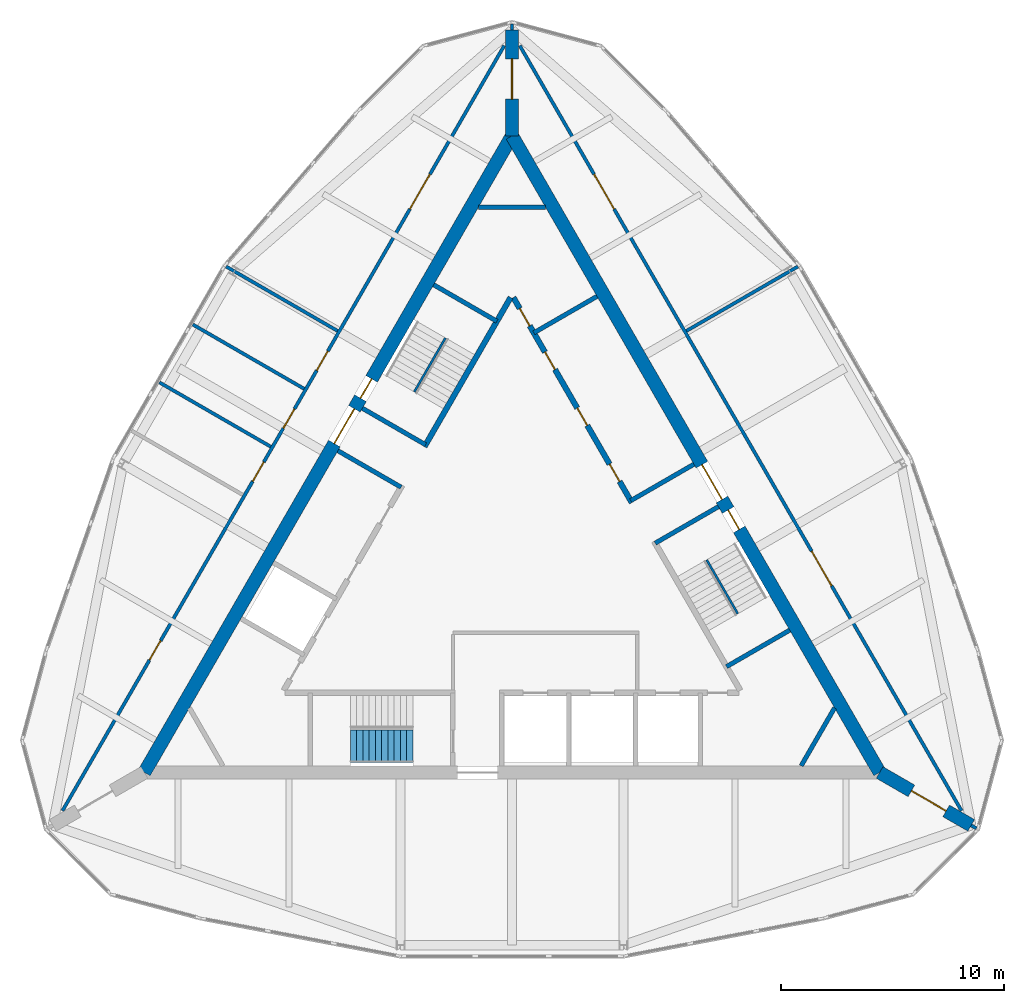
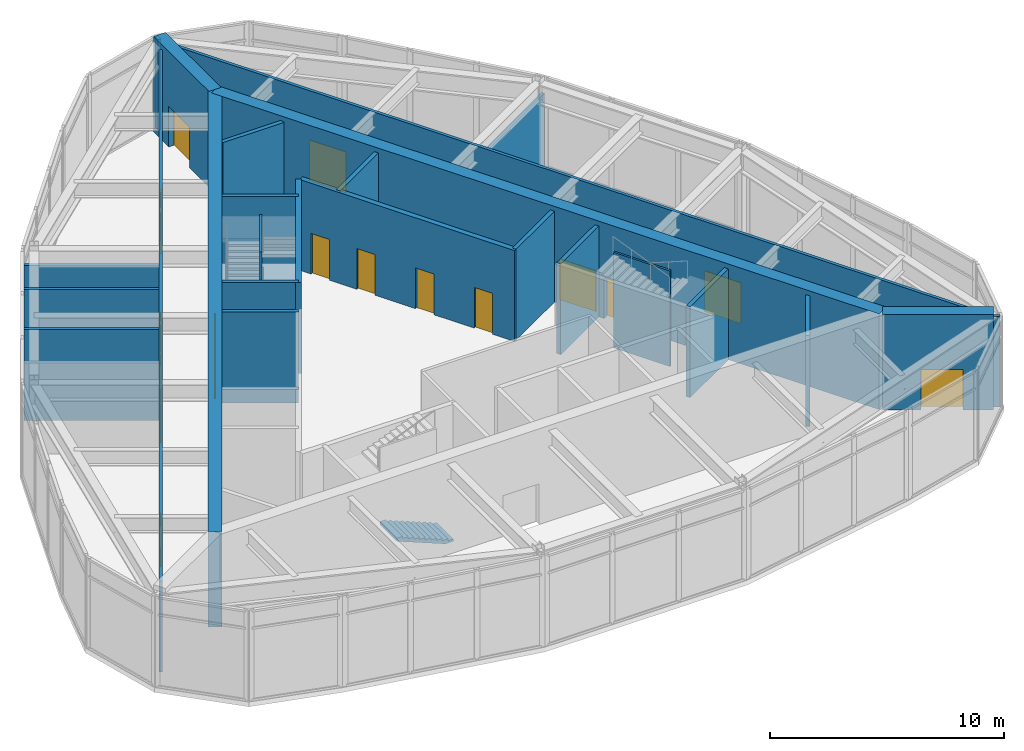
# One storey, part 7 of 9: 25 walls, 17 doors, 1 stair flight, 17 openings, 1 element without a shape of its own.
"""IFC4 building model written with IfcOpenShell, lengths in metres."""

from ifc_helpers import new_model, si_unit, direction, frame, frame_2d, origin, place, context, subcontext, project, spatial, polyline, rectangle, outline, extrude, material, layer, layer_set, type_object, element, fill, aggregate, save


model = new_model("IFC4")

# Units and contexts
model_context = context("Model", 3, precision=1e-05, world=origin(), true_north=direction((0.0, 1.0)))
body_context = subcontext(model_context, "Body", "Model", "MODEL_VIEW")
ifc_project = project(units=[si_unit("LENGTHUNIT", "METRE"), si_unit("AREAUNIT", "SQUARE_METRE"), si_unit("VOLUMEUNIT", "CUBIC_METRE"), si_unit("PLANEANGLEUNIT", "RADIAN"), si_unit("MASSUNIT", "GRAM", prefix="KILO")], contexts=[model_context])

# Site, building, storey
site_placement = place(None, origin())
site = spatial("IfcSite", under=ifc_project, at=site_placement, CompositionType="ELEMENT")
building_placement = place(site_placement, origin())
building = spatial("IfcBuilding", under=site, at=building_placement, Name="Trikona Tower", CompositionType="ELEMENT")
storey_placement = place(building_placement, frame((0.0, 0.0, 292.800048828125)))
storey = spatial("IfcBuildingStorey", under=building, at=storey_placement, Name="L76", CompositionType="ELEMENT", Elevation=292.800048828125)

# Wall, opening, door
ifc_material_1 = material(Name="Concrete f'c 10000 psi", Category="concrete")
ifc_layer_1 = layer(ifc_material_1, 0.60009765625)
ifc_layer_set_1 = layer_set([ifc_layer_1], Name="Buttress wall 600")
wall_type_1 = type_object("IfcWallType", Name="Buttress wall 600", PredefinedType="SHEAR", material=ifc_layer_set_1)
wall_1_placement = place(storey_placement, frame((16.5, -9.5263671875, 0.0), z_axis=(0.0, 0.0, 1.0), x_axis=(0.866031398331, -0.499989616998, 0.0)))
wall_1 = element("IfcWall", 1, at=wall_1_placement, inside=storey, type_object=wall_type_1, Name="Buttress wall 1", PredefinedType="SHEAR", context=body_context, shape_type="SweptSolid", body=[
    extrude(rectangle(XDim=4.74609375, YDim=0.60009765625, at=frame_2d((2.373046875, 0.0))), origin(), (0.0, 0.0, 1.0), 5.0),
])
opening_1_placement = place(wall_1_placement, frame((1.64990234375, 0.0, 0.0)))
opening_1 = element("IfcOpeningElement", 2, at=opening_1_placement, cuts=wall_1, Name="Opening D10", PredefinedType="OPENING", context=body_context, shape_type="SweptSolid", body=[
    extrude(rectangle(XDim=1.800048828125, YDim=2.1298828125, at=frame_2d((0.89990234375, 1.06494140625))), frame((0.0, 0.31005859375, 0.0), z_axis=(0.0, -1.0, 0.0), x_axis=(1.0, 0.0, 0.0)), (0.0, 0.0, 1.0), 0.6201171875),
])
ifc_material_2 = material(Name="Hollow metal door and frame", Category="steel")
door_type_1 = type_object("IfcDoorType", Name="Cross-corridor door pair 1800x2130", OperationType="DOUBLE_DOOR_DOUBLE_SWING", PredefinedType="DOOR", material=ifc_material_2)
door_1_placement = place(opening_1_placement, origin())
door_1 = element("IfcDoor", 3, at=door_1_placement, inside=storey, type_object=door_type_1, Name="Cross-corridor door 1", OperationType="DOUBLE_DOOR_DOUBLE_SWING", OverallHeight=2.1298828125, OverallWidth=1.800048828125, PredefinedType="DOOR", context=body_context, shape_type="SweptSolid", body=[
    extrude(rectangle(XDim=1.800048828125, YDim=2.1298828125, at=frame_2d((0.89990234375, 1.06494140625))), frame((0.0, 0.02490234375, 0.0), z_axis=(0.0, -1.0, 0.0), x_axis=(1.0, 0.0, 0.0)), (0.0, 0.0, 1.0), 0.050048828125),
])
fill(opening_1, door_1)

wall_2_placement = place(storey_placement, frame((0.0, 19.052490234375, 0.0), z_axis=(0.0, 0.0, 1.0), x_axis=(0.0, 1.0, 0.0)))
wall_2 = element("IfcWall", 4, at=wall_2_placement, inside=storey, type_object=wall_type_1, Name="Buttress wall 2", PredefinedType="SHEAR", context=body_context, shape_type="SweptSolid", body=[
    extrude(rectangle(XDim=4.74609375, YDim=0.60009765625, at=frame_2d((2.373046875, 0.0))), origin(), (0.0, 0.0, 1.0), 5.0),
])
opening_2_placement = place(wall_2_placement, frame((1.64990234375, 0.0, 0.0)))
opening_2 = element("IfcOpeningElement", 5, at=opening_2_placement, cuts=wall_2, Name="Opening D10", PredefinedType="OPENING", context=body_context, shape_type="SweptSolid", body=[
    extrude(rectangle(XDim=1.800048828125, YDim=2.1298828125, at=frame_2d((0.89990234375, 1.06494140625))), frame((0.0, 0.31005859375, 0.0), z_axis=(0.0, -1.0, 0.0), x_axis=(1.0, 0.0, 0.0)), (0.0, 0.0, 1.0), 0.6201171875),
])
door_2_placement = place(opening_2_placement, origin())
door_2 = element("IfcDoor", 6, at=door_2_placement, inside=storey, type_object=door_type_1, Name="Cross-corridor door 2", OperationType="DOUBLE_DOOR_DOUBLE_SWING", OverallHeight=2.1298828125, OverallWidth=1.800048828125, PredefinedType="DOOR", context=body_context, shape_type="SweptSolid", body=[
    extrude(rectangle(XDim=1.800048828125, YDim=2.1298828125, at=frame_2d((0.89990234375, 1.06494140625))), frame((0.0, 0.02490234375, 0.0), z_axis=(0.0, -1.0, 0.0), x_axis=(1.0, 0.0, 0.0)), (0.0, 0.0, 1.0), 0.050048828125),
])
fill(opening_2, door_2)

# Wall, openings, doors
ifc_material_3 = material(Name="Concrete f'c 10000 psi", Category="concrete")
ifc_layer_2 = layer(ifc_material_3, 0.60009765625)
ifc_layer_set_2 = layer_set([ifc_layer_2], Name="Core wall 600")
wall_type_2 = type_object("IfcWallType", Name="Core wall 600", PredefinedType="SHEAR", material=ifc_layer_set_2)
wall_3_placement = place(storey_placement, frame((16.5, -9.5263671875, 0.0), z_axis=(0.0, 0.0, 1.0), x_axis=(-0.499999749417, 0.866025548458, 0.0)))
wall_3 = element("IfcWall", 7, at=wall_3_placement, inside=storey, type_object=wall_type_2, Name="Core wall B", PredefinedType="SHEAR", context=body_context, shape_type="SweptSolid", body=[
    extrude(rectangle(XDim=33.0, YDim=0.60009765625, at=frame_2d((16.5, 0.0))), origin(), (0.0, 0.0, 1.0), 5.0),
])
opening_3_placement = place(wall_3_placement, frame((14.14990234375, 0.0, 0.0)))
opening_3 = element("IfcOpeningElement", 8, at=opening_3_placement, cuts=wall_3, Name="Opening D6", PredefinedType="OPENING", context=body_context, shape_type="SweptSolid", body=[
    extrude(rectangle(XDim=1.800048828125, YDim=2.1298828125, at=frame_2d((0.89990234375, 1.06494140625))), frame((0.0, 0.31005859375, 0.0), z_axis=(0.0, -1.0, 0.0), x_axis=(1.0, 0.0, 0.0)), (0.0, 0.0, 1.0), 0.6201171875),
])
opening_4_placement = place(wall_3_placement, frame((12.60009765625, 0.0, 0.0)))
opening_4 = element("IfcOpeningElement", 9, at=opening_4_placement, cuts=wall_3, Name="Opening D5", PredefinedType="OPENING", context=body_context, shape_type="SweptSolid", body=[
    extrude(rectangle(XDim=1.0, YDim=2.1298828125, at=frame_2d((0.5, 1.06494140625))), frame((0.0, 0.31005859375, 0.0), z_axis=(0.0, -1.0, 0.0), x_axis=(1.0, 0.0, 0.0)), (0.0, 0.0, 1.0), 0.6201171875),
])
ifc_material_4 = material(Name="Hollow metal door and frame", Category="steel")
door_type_2 = type_object("IfcDoorType", Name="Lobby door pair 1800x2130", OperationType="DOUBLE_DOOR_SINGLE_SWING", PredefinedType="DOOR", material=ifc_material_4)
door_3_placement = place(opening_3_placement, origin())
door_3 = element("IfcDoor", 10, at=door_3_placement, inside=storey, type_object=door_type_2, Name="Lift lobby door B", OperationType="DOUBLE_DOOR_SINGLE_SWING", OverallHeight=2.1298828125, OverallWidth=1.800048828125, PredefinedType="DOOR", context=body_context, shape_type="SweptSolid", body=[
    extrude(rectangle(XDim=1.800048828125, YDim=2.1298828125, at=frame_2d((0.89990234375, 1.06494140625))), frame((0.0, 0.02490234375, 0.0), z_axis=(0.0, -1.0, 0.0), x_axis=(1.0, 0.0, 0.0)), (0.0, 0.0, 1.0), 0.050048828125),
])
fill(opening_3, door_3)
ifc_material_5 = material(Name="Hollow metal door and frame", Category="steel")
door_type_3 = type_object("IfcDoorType", Name="Stair door 1000x2130", OperationType="SINGLE_SWING_LEFT", PredefinedType="DOOR", material=ifc_material_5)
door_4_placement = place(opening_4_placement, origin())
door_4 = element("IfcDoor", 11, at=door_4_placement, inside=storey, type_object=door_type_3, Name="Stair B door", OperationType="SINGLE_SWING_RIGHT", OverallHeight=2.1298828125, OverallWidth=1.0, PredefinedType="DOOR", context=body_context, shape_type="SweptSolid", body=[
    extrude(rectangle(XDim=1.0, YDim=2.1298828125, at=frame_2d((0.5, 1.06494140625))), frame((0.0, 0.02490234375, 0.0), z_axis=(0.0, -1.0, 0.0), x_axis=(1.0, 0.0, 0.0)), (0.0, 0.0, 1.0), 0.050048828125),
])
fill(opening_4, door_4)

wall_4_placement = place(storey_placement, frame((0.0, 19.052490234375, 0.0), z_axis=(0.0, 0.0, 1.0), x_axis=(-0.499999749417, -0.866025548458, 0.0)))
wall_4 = element("IfcWall", 12, at=wall_4_placement, inside=storey, type_object=wall_type_2, Name="Core wall C", PredefinedType="SHEAR", context=body_context, shape_type="SweptSolid", body=[
    extrude(rectangle(XDim=33.0, YDim=0.60009765625, at=frame_2d((16.5, 0.0))), origin(), (0.0, 0.0, 1.0), 5.0),
])
opening_5_placement = place(wall_4_placement, frame((14.14990234375, 0.0, 0.0)))
opening_5 = element("IfcOpeningElement", 13, at=opening_5_placement, cuts=wall_4, Name="Opening D6", PredefinedType="OPENING", context=body_context, shape_type="SweptSolid", body=[
    extrude(rectangle(XDim=1.800048828125, YDim=2.1298828125, at=frame_2d((0.89990234375, 1.06494140625))), frame((0.0, 0.31005859375, 0.0), z_axis=(0.0, -1.0, 0.0), x_axis=(1.0, 0.0, 0.0)), (0.0, 0.0, 1.0), 0.6201171875),
])
opening_6_placement = place(wall_4_placement, frame((12.60009765625, 0.0, 0.0)))
opening_6 = element("IfcOpeningElement", 14, at=opening_6_placement, cuts=wall_4, Name="Opening D5", PredefinedType="OPENING", context=body_context, shape_type="SweptSolid", body=[
    extrude(rectangle(XDim=1.0, YDim=2.1298828125, at=frame_2d((0.5, 1.06494140625))), frame((0.0, 0.31005859375, 0.0), z_axis=(0.0, -1.0, 0.0), x_axis=(1.0, 0.0, 0.0)), (0.0, 0.0, 1.0), 0.6201171875),
])
door_5_placement = place(opening_5_placement, origin())
door_5 = element("IfcDoor", 15, at=door_5_placement, inside=storey, type_object=door_type_2, Name="Lift lobby door C", OperationType="DOUBLE_DOOR_SINGLE_SWING", OverallHeight=2.1298828125, OverallWidth=1.800048828125, PredefinedType="DOOR", context=body_context, shape_type="SweptSolid", body=[
    extrude(rectangle(XDim=1.800048828125, YDim=2.1298828125, at=frame_2d((0.89990234375, 1.06494140625))), frame((0.0, 0.02490234375, 0.0), z_axis=(0.0, -1.0, 0.0), x_axis=(1.0, 0.0, 0.0)), (0.0, 0.0, 1.0), 0.050048828125),
])
fill(opening_5, door_5)
door_6_placement = place(opening_6_placement, origin())
door_6 = element("IfcDoor", 16, at=door_6_placement, inside=storey, type_object=door_type_3, Name="Stair C door", OperationType="SINGLE_SWING_RIGHT", OverallHeight=2.1298828125, OverallWidth=1.0, PredefinedType="DOOR", context=body_context, shape_type="SweptSolid", body=[
    extrude(rectangle(XDim=1.0, YDim=2.1298828125, at=frame_2d((0.5, 1.06494140625))), frame((0.0, 0.02490234375, 0.0), z_axis=(0.0, -1.0, 0.0), x_axis=(1.0, 0.0, 0.0)), (0.0, 0.0, 1.0), 0.050048828125),
])
fill(opening_6, door_6)

ifc_material_6 = material(Name="Metal stud and gypsum board, 1-hour", Category="gypsum")
ifc_layer_3 = layer(ifc_material_6, 0.14990234375)
ifc_layer_set_3 = layer_set([ifc_layer_3], Name="Corridor wall 150")
wall_type_3 = type_object("IfcWallType", Name="Corridor wall 150", PredefinedType="PARTITIONING", material=ifc_layer_set_3)
wall_5_placement = place(storey_placement, frame((20.177001953125, -11.2451171875, 0.0), z_axis=(0.0, 0.0, 1.0), x_axis=(-0.499998875317, 0.866026053119, 0.0)))
wall_5 = element("IfcWall", 17, at=wall_5_placement, inside=storey, type_object=wall_type_3, Name="Corridor wall L76-2", PredefinedType="PARTITIONING", context=body_context, shape_type="SweptSolid", body=[
    extrude(rectangle(XDim=39.65380859375, YDim=0.14990234375, at=frame_2d((19.826904296875, 0.0))), origin(), (0.0, 0.0, 1.0), 4.75),
])
opening_7_placement = place(wall_5_placement, frame((11.66357421875, 0.0, 0.0)))
opening_7 = element("IfcOpeningElement", 18, at=opening_7_placement, cuts=wall_5, Name="Opening D4", PredefinedType="OPENING", context=body_context, shape_type="SweptSolid", body=[
    extrude(rectangle(XDim=1.800048828125, YDim=2.1298828125, at=frame_2d((0.89990234375, 1.06494140625))), frame((0.0, 0.0849609375, 0.0), z_axis=(0.0, -1.0, 0.0), x_axis=(1.0, 0.0, 0.0)), (0.0, 0.0, 1.0), 0.169921875),
])
opening_8_placement = place(wall_5_placement, frame((31.1904296875, 0.0, 0.0)))
opening_8 = element("IfcOpeningElement", 19, at=opening_8_placement, cuts=wall_5, Name="Opening D4", PredefinedType="OPENING", context=body_context, shape_type="SweptSolid", body=[
    extrude(rectangle(XDim=1.800048828125, YDim=2.1298828125, at=frame_2d((0.89990234375, 1.06494140625))), frame((0.0, 0.0849609375, 0.0), z_axis=(0.0, -1.0, 0.0), x_axis=(1.0, 0.0, 0.0)), (0.0, 0.0, 1.0), 0.169921875),
])
ifc_material_7 = material(Name="Steel door frame with solid-core timber leaf", Category="steel")
door_type_4 = type_object("IfcDoorType", Name="Assembly door pair 1800x2130", OperationType="DOUBLE_DOOR_SINGLE_SWING", PredefinedType="DOOR", material=ifc_material_7)
door_7_placement = place(opening_7_placement, origin())
door_7 = element("IfcDoor", 20, at=door_7_placement, inside=storey, type_object=door_type_4, Name="Door Observation upper deck north-east", OperationType="DOUBLE_DOOR_SINGLE_SWING", OverallHeight=2.1298828125, OverallWidth=1.800048828125, PredefinedType="DOOR", context=body_context, shape_type="SweptSolid", body=[
    extrude(rectangle(XDim=1.800048828125, YDim=2.1298828125, at=frame_2d((0.89990234375, 1.06494140625))), frame((0.0, 0.02490234375, 0.0), z_axis=(0.0, -1.0, 0.0), x_axis=(1.0, 0.0, 0.0)), (0.0, 0.0, 1.0), 0.050048828125),
])
fill(opening_7, door_7)
door_8_placement = place(opening_8_placement, origin())
door_8 = element("IfcDoor", 21, at=door_8_placement, inside=storey, type_object=door_type_4, Name="Door Exhibition room", OperationType="DOUBLE_DOOR_SINGLE_SWING", OverallHeight=2.1298828125, OverallWidth=1.800048828125, PredefinedType="DOOR", context=body_context, shape_type="SweptSolid", body=[
    extrude(rectangle(XDim=1.800048828125, YDim=2.1298828125, at=frame_2d((0.89990234375, 1.06494140625))), frame((0.0, 0.02490234375, 0.0), z_axis=(0.0, -1.0, 0.0), x_axis=(1.0, 0.0, 0.0)), (0.0, 0.0, 1.0), 0.050048828125),
])
fill(opening_8, door_8)

wall_6_placement = place(storey_placement, frame((-0.35009765625, 23.09619140625, 0.0), z_axis=(0.0, 0.0, 1.0), x_axis=(-0.499998875317, -0.866026053119, 0.0)))
wall_6 = element("IfcWall", 22, at=wall_6_placement, inside=storey, type_object=wall_type_3, Name="Corridor wall L76-3", PredefinedType="PARTITIONING", context=body_context, shape_type="SweptSolid", body=[
    extrude(rectangle(XDim=39.65380859375, YDim=0.14990234375, at=frame_2d((19.826904296875, 0.0))), origin(), (0.0, 0.0, 1.0), 4.75),
])
opening_9_placement = place(wall_6_placement, frame((6.66357421875, 0.0, 0.0)))
opening_9 = element("IfcOpeningElement", 23, at=opening_9_placement, cuts=wall_6, Name="Opening D4", PredefinedType="OPENING", context=body_context, shape_type="SweptSolid", body=[
    extrude(rectangle(XDim=1.800048828125, YDim=2.1298828125, at=frame_2d((0.89990234375, 1.06494140625))), frame((0.0, 0.0849609375, 0.0), z_axis=(0.0, -1.0, 0.0), x_axis=(1.0, 0.0, 0.0)), (0.0, 0.0, 1.0), 0.169921875),
])
opening_10_placement = place(wall_6_placement, frame((15.826904296875, 0.0, 0.0)))
opening_10 = element("IfcOpeningElement", 24, at=opening_10_placement, cuts=wall_6, Name="Opening D3", PredefinedType="OPENING", context=body_context, shape_type="SweptSolid", body=[
    extrude(rectangle(XDim=1.0, YDim=2.1298828125, at=frame_2d((0.5, 1.06494140625))), frame((0.0, 0.0849609375, 0.0), z_axis=(0.0, -1.0, 0.0), x_axis=(1.0, 0.0, 0.0)), (0.0, 0.0, 1.0), 0.169921875),
])
opening_11_placement = place(wall_6_placement, frame((18.826904296875, 0.0, 0.0)))
opening_11 = element("IfcOpeningElement", 25, at=opening_11_placement, cuts=wall_6, Name="Opening D3", PredefinedType="OPENING", context=body_context, shape_type="SweptSolid", body=[
    extrude(rectangle(XDim=1.0, YDim=2.1298828125, at=frame_2d((0.5, 1.06494140625))), frame((0.0, 0.0849609375, 0.0), z_axis=(0.0, -1.0, 0.0), x_axis=(1.0, 0.0, 0.0)), (0.0, 0.0, 1.0), 0.169921875),
])
opening_12_placement = place(wall_6_placement, frame((21.576904296875, 0.0, 0.0)))
opening_12 = element("IfcOpeningElement", 26, at=opening_12_placement, cuts=wall_6, Name="Opening D3", PredefinedType="OPENING", context=body_context, shape_type="SweptSolid", body=[
    extrude(rectangle(XDim=1.0, YDim=2.1298828125, at=frame_2d((0.5, 1.06494140625))), frame((0.0, 0.0849609375, 0.0), z_axis=(0.0, -1.0, 0.0), x_axis=(1.0, 0.0, 0.0)), (0.0, 0.0, 1.0), 0.169921875),
])
opening_13_placement = place(wall_6_placement, frame((30.840576171875, 0.0, 0.0)))
opening_13 = element("IfcOpeningElement", 27, at=opening_13_placement, cuts=wall_6, Name="Opening D3", PredefinedType="OPENING", context=body_context, shape_type="SweptSolid", body=[
    extrude(rectangle(XDim=1.0, YDim=2.1298828125, at=frame_2d((0.5, 1.06494140625))), frame((0.0, 0.0849609375, 0.0), z_axis=(0.0, -1.0, 0.0), x_axis=(1.0, 0.0, 0.0)), (0.0, 0.0, 1.0), 0.169921875),
])
door_9_placement = place(opening_9_placement, origin())
door_9 = element("IfcDoor", 28, at=door_9_placement, inside=storey, type_object=door_type_4, Name="Door Observation bar", OperationType="DOUBLE_DOOR_SINGLE_SWING", OverallHeight=2.1298828125, OverallWidth=1.800048828125, PredefinedType="DOOR", context=body_context, shape_type="SweptSolid", body=[
    extrude(rectangle(XDim=1.800048828125, YDim=2.1298828125, at=frame_2d((0.89990234375, 1.06494140625))), frame((0.0, 0.02490234375, 0.0), z_axis=(0.0, -1.0, 0.0), x_axis=(1.0, 0.0, 0.0)), (0.0, 0.0, 1.0), 0.050048828125),
])
fill(opening_9, door_9)
ifc_material_8 = material(Name="Steel door frame with solid-core timber leaf", Category="steel")
door_type_5 = type_object("IfcDoorType", Name="Room door 1000x2130", OperationType="SINGLE_SWING_LEFT", PredefinedType="DOOR", material=ifc_material_8)
door_10_placement = place(opening_10_placement, origin())
door_10 = element("IfcDoor", 29, at=door_10_placement, inside=storey, type_object=door_type_5, Name="Door Men's toilets", OperationType="SINGLE_SWING_LEFT", OverallHeight=2.1298828125, OverallWidth=1.0, PredefinedType="DOOR", context=body_context, shape_type="SweptSolid", body=[
    extrude(rectangle(XDim=1.0, YDim=2.1298828125, at=frame_2d((0.5, 1.06494140625))), frame((0.0, 0.02490234375, 0.0), z_axis=(0.0, -1.0, 0.0), x_axis=(1.0, 0.0, 0.0)), (0.0, 0.0, 1.0), 0.050048828125),
])
fill(opening_10, door_10)
door_11_placement = place(opening_11_placement, origin())
door_11 = element("IfcDoor", 30, at=door_11_placement, inside=storey, type_object=door_type_5, Name="Door Women's toilets", OperationType="SINGLE_SWING_RIGHT", OverallHeight=2.1298828125, OverallWidth=1.0, PredefinedType="DOOR", context=body_context, shape_type="SweptSolid", body=[
    extrude(rectangle(XDim=1.0, YDim=2.1298828125, at=frame_2d((0.5, 1.06494140625))), frame((0.0, 0.02490234375, 0.0), z_axis=(0.0, -1.0, 0.0), x_axis=(1.0, 0.0, 0.0)), (0.0, 0.0, 1.0), 0.050048828125),
])
fill(opening_11, door_11)
door_12_placement = place(opening_12_placement, origin())
door_12 = element("IfcDoor", 31, at=door_12_placement, inside=storey, type_object=door_type_5, Name="Door Accessible WC", OperationType="SINGLE_SWING_LEFT", OverallHeight=2.1298828125, OverallWidth=1.0, PredefinedType="DOOR", context=body_context, shape_type="SweptSolid", body=[
    extrude(rectangle(XDim=1.0, YDim=2.1298828125, at=frame_2d((0.5, 1.06494140625))), frame((0.0, 0.02490234375, 0.0), z_axis=(0.0, -1.0, 0.0), x_axis=(1.0, 0.0, 0.0)), (0.0, 0.0, 1.0), 0.050048828125),
])
fill(opening_12, door_12)
door_13_placement = place(opening_13_placement, origin())
door_13 = element("IfcDoor", 32, at=door_13_placement, inside=storey, type_object=door_type_5, Name="Door Event room", OperationType="SINGLE_SWING_RIGHT", OverallHeight=2.1298828125, OverallWidth=1.0, PredefinedType="DOOR", context=body_context, shape_type="SweptSolid", body=[
    extrude(rectangle(XDim=1.0, YDim=2.1298828125, at=frame_2d((0.5, 1.06494140625))), frame((0.0, 0.02490234375, 0.0), z_axis=(0.0, -1.0, 0.0), x_axis=(1.0, 0.0, 0.0)), (0.0, 0.0, 1.0), 0.050048828125),
])
fill(opening_13, door_13)

ifc_material_9 = material(Name="Concrete f'c 8000 psi", Category="concrete")
ifc_layer_4 = layer(ifc_material_9, 0.25)
ifc_layer_set_4 = layer_set([ifc_layer_4], Name="Hub wall 250")
wall_type_4 = type_object("IfcWallType", Name="Hub wall 250", PredefinedType="SOLIDWALL", material=ifc_layer_set_4)
wall_7_placement = place(storey_placement, frame((5.37890625, 2.5859375, 0.0), z_axis=(0.0, 0.0, 1.0), x_axis=(-0.500001375892, 0.866024609411, 0.0)))
wall_7 = element("IfcWall", 33, at=wall_7_placement, inside=storey, type_object=wall_type_4, Name="Lift lobby wall B2", PredefinedType="SOLIDWALL", context=body_context, shape_type="SweptSolid", body=[
    extrude(rectangle(XDim=10.6328125, YDim=0.25, at=frame_2d((5.31640625, 0.0))), origin(), (0.0, 0.0, 1.0), 4.75),
])
opening_14_placement = place(wall_7_placement, frame((9.1640625, 0.0, 0.0)))
opening_14 = element("IfcOpeningElement", 34, at=opening_14_placement, cuts=wall_7, Name="Opening D14", PredefinedType="OPENING", context=body_context, shape_type="SweptSolid", body=[
    extrude(rectangle(XDim=0.89990234375, YDim=2.1298828125, at=frame_2d((0.449951171875, 1.06494140625))), frame((0.0, 0.135009765625, 0.0), z_axis=(0.0, -1.0, 0.0), x_axis=(1.0, 0.0, 0.0)), (0.0, 0.0, 1.0), 0.27001953125),
])
opening_15_placement = place(wall_7_placement, frame((1.10009765625, 0.0, 0.0)))
opening_15 = element("IfcOpeningElement", 35, at=opening_15_placement, cuts=wall_7, Name="Opening D14", PredefinedType="OPENING", context=body_context, shape_type="SweptSolid", body=[
    extrude(rectangle(XDim=0.89990234375, YDim=2.1298828125, at=frame_2d((0.449951171875, 1.06494140625))), frame((0.0, 0.135009765625, 0.0), z_axis=(0.0, -1.0, 0.0), x_axis=(1.0, 0.0, 0.0)), (0.0, 0.0, 1.0), 0.27001953125),
])
opening_16_placement = place(wall_7_placement, frame((4.0, 0.0, 0.0)))
opening_16 = element("IfcOpeningElement", 36, at=opening_16_placement, cuts=wall_7, Name="Opening D14", PredefinedType="OPENING", context=body_context, shape_type="SweptSolid", body=[
    extrude(rectangle(XDim=0.89990234375, YDim=2.1298828125, at=frame_2d((0.449951171875, 1.06494140625))), frame((0.0, 0.135009765625, 0.0), z_axis=(0.0, -1.0, 0.0), x_axis=(1.0, 0.0, 0.0)), (0.0, 0.0, 1.0), 0.27001953125),
])
opening_17_placement = place(wall_7_placement, frame((6.89990234375, 0.0, 0.0)))
opening_17 = element("IfcOpeningElement", 37, at=opening_17_placement, cuts=wall_7, Name="Opening D14", PredefinedType="OPENING", context=body_context, shape_type="SweptSolid", body=[
    extrude(rectangle(XDim=0.89990234375, YDim=2.1298828125, at=frame_2d((0.449951171875, 1.06494140625))), frame((0.0, 0.135009765625, 0.0), z_axis=(0.0, -1.0, 0.0), x_axis=(1.0, 0.0, 0.0)), (0.0, 0.0, 1.0), 0.27001953125),
])
ifc_material_10 = material(Name="Hollow metal door and frame", Category="steel")
door_type_6 = type_object("IfcDoorType", Name="Service room door 900x2130", OperationType="SINGLE_SWING_LEFT", PredefinedType="DOOR", material=ifc_material_10)
door_14_placement = place(opening_14_placement, origin())
door_14 = element("IfcDoor", 38, at=door_14_placement, inside=storey, type_object=door_type_6, Name="Door Store STR", OperationType="SINGLE_SWING_RIGHT", OverallHeight=2.1298828125, OverallWidth=0.89990234375, PredefinedType="DOOR", context=body_context, shape_type="SweptSolid", body=[
    extrude(rectangle(XDim=0.89990234375, YDim=2.1298828125, at=frame_2d((0.449951171875, 1.06494140625))), frame((0.0, 0.02490234375, 0.0), z_axis=(0.0, -1.0, 0.0), x_axis=(1.0, 0.0, 0.0)), (0.0, 0.0, 1.0), 0.050048828125),
])
fill(opening_14, door_14)
door_15_placement = place(opening_15_placement, origin())
door_15 = element("IfcDoor", 39, at=door_15_placement, inside=storey, type_object=door_type_6, Name="Door Storage STO1", OperationType="SINGLE_SWING_LEFT", OverallHeight=2.1298828125, OverallWidth=0.89990234375, PredefinedType="DOOR", context=body_context, shape_type="SweptSolid", body=[
    extrude(rectangle(XDim=0.89990234375, YDim=2.1298828125, at=frame_2d((0.449951171875, 1.06494140625))), frame((0.0, 0.02490234375, 0.0), z_axis=(0.0, -1.0, 0.0), x_axis=(1.0, 0.0, 0.0)), (0.0, 0.0, 1.0), 0.050048828125),
])
fill(opening_15, door_15)
door_16_placement = place(opening_16_placement, origin())
door_16 = element("IfcDoor", 40, at=door_16_placement, inside=storey, type_object=door_type_6, Name="Door Storage STO1", OperationType="SINGLE_SWING_RIGHT", OverallHeight=2.1298828125, OverallWidth=0.89990234375, PredefinedType="DOOR", context=body_context, shape_type="SweptSolid", body=[
    extrude(rectangle(XDim=0.89990234375, YDim=2.1298828125, at=frame_2d((0.449951171875, 1.06494140625))), frame((0.0, 0.02490234375, 0.0), z_axis=(0.0, -1.0, 0.0), x_axis=(1.0, 0.0, 0.0)), (0.0, 0.0, 1.0), 0.050048828125),
])
fill(opening_16, door_16)
door_17_placement = place(opening_17_placement, origin())
door_17 = element("IfcDoor", 41, at=door_17_placement, inside=storey, type_object=door_type_6, Name="Door Storage STO1", OperationType="SINGLE_SWING_RIGHT", OverallHeight=2.1298828125, OverallWidth=0.89990234375, PredefinedType="DOOR", context=body_context, shape_type="SweptSolid", body=[
    extrude(rectangle(XDim=0.89990234375, YDim=2.1298828125, at=frame_2d((0.449951171875, 1.06494140625))), frame((0.0, 0.02490234375, 0.0), z_axis=(0.0, -1.0, 0.0), x_axis=(1.0, 0.0, 0.0)), (0.0, 0.0, 1.0), 0.050048828125),
])
fill(opening_17, door_17)

# Walls
wall_8_placement = place(storey_placement, frame((-0.0625, 11.794189453125, 0.0), z_axis=(0.0, 0.0, 1.0), x_axis=(-0.500006680225, -0.86602154692, 0.0)))
element("IfcWall", 42, at=wall_8_placement, inside=storey, type_object=wall_type_4, Name="Lift lobby wall C1", PredefinedType="SOLIDWALL", context=body_context, shape_type="SweptSolid", body=[
    extrude(rectangle(XDim=7.73291015625, YDim=0.25, at=frame_2d((3.866455078125, 0.0))), origin(), (0.0, 0.0, 1.0), 4.75),
])
ifc_material_11 = material(Name="Metal stud and gypsum board, 1-hour acoustic", Category="gypsum")
ifc_layer_5 = layer(ifc_material_11, 0.14990234375)
ifc_layer_set_5 = layer_set([ifc_layer_5], Name="Party wall 150")
wall_type_5 = type_object("IfcWallType", Name="Party wall 150", PredefinedType="PARTITIONING", material=ifc_layer_set_5)
for number, where, z_axis, x_axis, name in (
    (43, (7.82861328125, 10.293212890625, 0.0), (0.0, 0.0, 1.0), (0.866003332883, 0.500038225974, 0.0), "Partition L76 F2 u5"),
    (44, (-7.82861328125, 10.293212890625, 0.0), (0.0, 0.0, 1.0), (-0.866003332883, 0.500038225974, 0.0), "Partition L76 F3 u-5"),
):
    element("IfcWall", number, at=place(storey_placement, frame(where, z_axis=z_axis, x_axis=x_axis)), inside=storey, type_object=wall_type_5, Name=name, PredefinedType="PARTITIONING", context=body_context, shape_type="SweptSolid", body=[
        extrude(rectangle(XDim=5.77783203125, YDim=0.14990234375, at=frame_2d((2.888916015625, 0.0))), origin(), (0.0, 0.0, 1.0), 3.89404296875),
    ])
for number, where, z_axis, x_axis, name in (
    (45, (-9.32861328125, 7.6953125, 0.0), (0.0, 0.0, 1.0), (-0.866034075723, 0.499984979461, 0.0), "Partition L76 F3 u-2"),
    (46, (-10.82861328125, 5.09716796875, 0.0), (0.0, 0.0, 1.0), (-0.866015751745, 0.50001671745, 0.0), "Partition L76 F3 u1"),
):
    element("IfcWall", number, at=place(storey_placement, frame(where, z_axis=z_axis, x_axis=x_axis)), inside=storey, type_object=wall_type_5, Name=name, PredefinedType="PARTITIONING", context=body_context, shape_type="SweptSolid", body=[
        extrude(rectangle(XDim=5.769287109375, YDim=0.14990234375, at=frame_2d((2.884765625, 0.0))), origin(), (0.0, 0.0, 1.0), 4.75),
    ])
wall_9_placement = place(storey_placement, frame((20.6103515625, -11.8994140625, 0.0), z_axis=(0.0, 0.0, 1.0), x_axis=(0.866065156741, -0.499931139538, 0.0)))
element("IfcWall", 47, at=wall_9_placement, inside=storey, type_object=wall_type_5, Name="Partition L76 Buttress wall 1 closure", PredefinedType="PARTITIONING", context=body_context, shape_type="SweptSolid", body=[
    extrude(rectangle(XDim=0.27001953125, YDim=0.14990234375, at=frame_2d((0.135009765625, 0.0))), origin(), (0.0, 0.0, 1.0), 4.75),
])
wall_10_placement = place(storey_placement, frame((0.0, 23.798583984375, 0.0), z_axis=(0.0, 0.0, 1.0), x_axis=(0.0, 1.0, 0.0)))
element("IfcWall", 48, at=wall_10_placement, inside=storey, type_object=wall_type_5, Name="Partition L76 Buttress wall 2 closure", PredefinedType="PARTITIONING", context=body_context, shape_type="SweptSolid", body=[
    extrude(rectangle(XDim=0.270263671875, YDim=0.14990234375, at=frame_2d((0.13525390625, 0.0))), origin(), (0.0, 0.0, 1.0), 4.75),
])
ifc_material_12 = material(Name="Concrete f'c 8000 psi", Category="concrete")
ifc_layer_6 = layer(ifc_material_12, 0.199951171875)
ifc_layer_set_6 = layer_set([ifc_layer_6], Name="Shaft wall 200")
wall_type_6 = type_object("IfcWallType", Name="Shaft wall 200", PredefinedType="SOLIDWALL", material=ifc_layer_set_6)
for number, where, z_axis, x_axis, name in (
    (49, (5.3291015625, 2.672607421875, 0.0), (0.0, 0.0, 1.0), (0.866027924134, 0.499995634601, 0.0), "Shaft wall B3"),
    (50, (0.97900390625, 10.20703125, 0.0), (0.0, 0.0, 1.0), (0.866027924134, 0.499995634601, 0.0), "Shaft wall B6"),
    (51, (-4.97900390625, 3.27880859375, 0.0), (0.0, 0.0, 1.0), (-0.866027924134, 0.499995634601, 0.0), "Shaft wall C3"),
):
    element("IfcWall", number, at=place(storey_placement, frame(where, z_axis=z_axis, x_axis=x_axis)), inside=storey, type_object=wall_type_6, Name=name, PredefinedType="SOLIDWALL", context=body_context, shape_type="SweptSolid", body=[
        extrude(rectangle(XDim=3.27490234375, YDim=0.199951171875, at=frame_2d((1.637451171875, 0.0))), origin(), (0.0, 0.0, 1.0), 4.75),
    ])
wall_11_placement = place(storey_placement, frame((14.479248046875, -6.626220703125, 0.0), z_axis=(0.0, 0.0, 1.0), x_axis=(-0.499952404951, -0.866052881055, 0.0)))
element("IfcWall", 52, at=wall_11_placement, inside=storey, type_object=wall_type_6, Name="Riser wall L76-RS1", PredefinedType="SOLIDWALL", context=body_context, shape_type="SweptSolid", body=[
    extrude(rectangle(XDim=3.002197265625, YDim=0.199951171875, at=frame_2d((1.5009765625, 0.0))), origin(), (0.0, 0.0, 1.0), 4.75),
])
wall_12_placement = place(storey_placement, frame((-1.501220703125, 15.8525390625, 0.0), z_axis=(0.0, 0.0, 1.0), x_axis=(1.0, 0.0, 0.0)))
element("IfcWall", 53, at=wall_12_placement, inside=storey, type_object=wall_type_6, Name="Riser wall L76-RS2", PredefinedType="SOLIDWALL", context=body_context, shape_type="SweptSolid", body=[
    extrude(rectangle(XDim=3.00244140625, YDim=0.199951171875, at=frame_2d((1.501220703125, 0.0))), origin(), (0.0, 0.0, 1.0), 4.75),
])
ifc_material_13 = material(Name="Concrete f'c 8000 psi", Category="concrete")
ifc_layer_7 = layer(ifc_material_13, 0.199951171875)
ifc_layer_set_7 = layer_set([ifc_layer_7], Name="Shaft wall 200 load-bearing")
wall_type_7 = type_object("IfcWallType", Name="Shaft wall 200 load-bearing", PredefinedType="SOLIDWALL", material=ifc_layer_set_7)
wall_13_placement = place(storey_placement, frame((9.62890625, -4.775390625, 0.0), z_axis=(0.0, 0.0, 1.0), x_axis=(0.865995643347, 0.500051543047, 0.0)))
element("IfcWall", 54, at=wall_13_placement, inside=storey, type_object=wall_type_7, Name="Shaft wall B1", PredefinedType="SOLIDWALL", context=body_context, shape_type="SweptSolid", body=[
    extrude(rectangle(XDim=3.275146484375, YDim=0.199951171875, at=frame_2d((1.6376953125, 0.0))), origin(), (0.0, 0.0, 1.0), 4.75),
])
for number, where, z_axis, x_axis, name in (
    (55, (6.428955078125, 0.767333984375, 0.0), (0.0, 0.0, 1.0), (0.866027924134, 0.499995634601, 0.0), "Shaft wall B2"),
    (56, (-0.678955078125, 10.7265625, 0.0), (0.0, 0.0, 1.0), (-0.866027924134, 0.499995634601, 0.0), "Shaft wall C1"),
    (57, (-3.87890625, 5.18408203125, 0.0), (0.0, 0.0, 1.0), (-0.866027924134, 0.499995634601, 0.0), "Shaft wall C2"),
):
    element("IfcWall", number, at=place(storey_placement, frame(where, z_axis=z_axis, x_axis=x_axis)), inside=storey, type_object=wall_type_7, Name=name, PredefinedType="SOLIDWALL", context=body_context, shape_type="SweptSolid", body=[
        extrude(rectangle(XDim=3.27490234375, YDim=0.199951171875, at=frame_2d((1.637451171875, 0.0))), origin(), (0.0, 0.0, 1.0), 4.75),
    ])
ifc_material_14 = material(Name="Concrete f'c 5000 psi", Category="concrete")
ifc_layer_8 = layer(ifc_material_14, 0.10009765625)
ifc_layer_set_8 = layer_set([ifc_layer_8], Name="Stair spine wall 100")
wall_type_8 = type_object("IfcWallType", Name="Stair spine wall 100", PredefinedType="SOLIDWALL", material=ifc_layer_set_8)
for number, where, z_axis, x_axis, name in (
    (58, (10.134765625, -2.4013671875, 0.0), (0.0, 0.0, 1.0), (-0.499992232847, 0.866029888106, 0.0), "Stair B spine wall L76"),
    (59, (-2.98779296875, 9.9775390625, 0.0), (0.0, 0.0, 1.0), (-0.499992232847, -0.866029888106, 0.0), "Stair C spine wall L76"),
):
    element("IfcWall", number, at=place(storey_placement, frame(where, z_axis=z_axis, x_axis=x_axis)), inside=storey, type_object=wall_type_8, Name=name, PredefinedType="SOLIDWALL", context=body_context, shape_type="SweptSolid", body=[
        extrude(rectangle(XDim=2.7939453125, YDim=0.10009765625, at=frame_2d((1.39697265625, 0.0))), origin(), (0.0, 0.0, 1.0), 5.0),
    ])

# Stair, stair flight
ifc_material_15 = material(Name="Concrete f'c 5000 psi", Category="concrete")
stair_type = type_object("IfcStairType", Name="Core stair", PredefinedType="HALF_TURN_STAIR", material=ifc_material_15)
stair_placement = place(storey_placement, origin())
stair = element("IfcStair", 60, at=stair_placement, inside=storey, type_object=stair_type, Name="Stair A L76", PredefinedType="HALF_TURN_STAIR")
ifc_material_16 = material(Name="Concrete f'c 5000 psi", Category="concrete")
stair_flight_type = type_object("IfcStairFlightType", Name="Core stair flight 1450", PredefinedType="STRAIGHT", material=ifc_material_16)
stair_flight_placement = place(storey_placement, frame((-4.449951171875, -8.351318359375, 0.0), z_axis=(0.0, 0.0, 1.0), x_axis=(-1.0, 0.0, 0.0)))
stair_flight = element("IfcStairFlight", 61, at=stair_flight_placement, type_object=stair_flight_type, Name="ST-A flight 1", NumberOfRisers=11, NumberOfTreads=10, PredefinedType="STRAIGHT", RiserHeight=0.113636, TreadLength=0.28, context=body_context, shape_type="SweptSolid", body=[
    extrude(outline(polyline([(0.0, 0.0), (0.0, 0.113525390625), (0.280029296875, 0.113525390625), (0.280029296875, 0.227294921875), (0.56005859375, 0.227294921875), (0.56005859375, 0.3408203125), (0.840087890625, 0.3408203125), (0.840087890625, 0.45458984375), (1.1201171875, 0.45458984375), (1.1201171875, 0.568115234375), (1.39990234375, 0.568115234375), (1.39990234375, 0.681884765625), (1.679931640625, 0.681884765625), (1.679931640625, 0.79541015625), (1.9599609375, 0.79541015625), (1.9599609375, 0.9091796875), (2.239990234375, 0.9091796875), (2.239990234375, 1.022705078125), (2.52001953125, 1.022705078125), (2.52001953125, 1.136474609375), (2.800048828125, 1.136474609375), (2.800048828125, 1.25), (2.800048828125, 0.974609375), (0.398681640625, 0.0), (0.0, 0.0)])), frame((0.0, 0.72509765625, 0.0), z_axis=(0.0, -1.0, 0.0), x_axis=(1.0, 0.0, 0.0)), (0.0, 0.0, 1.0), 1.449951171875),
])
aggregate(stair, [stair_flight])

save(model, "model.ifc")
